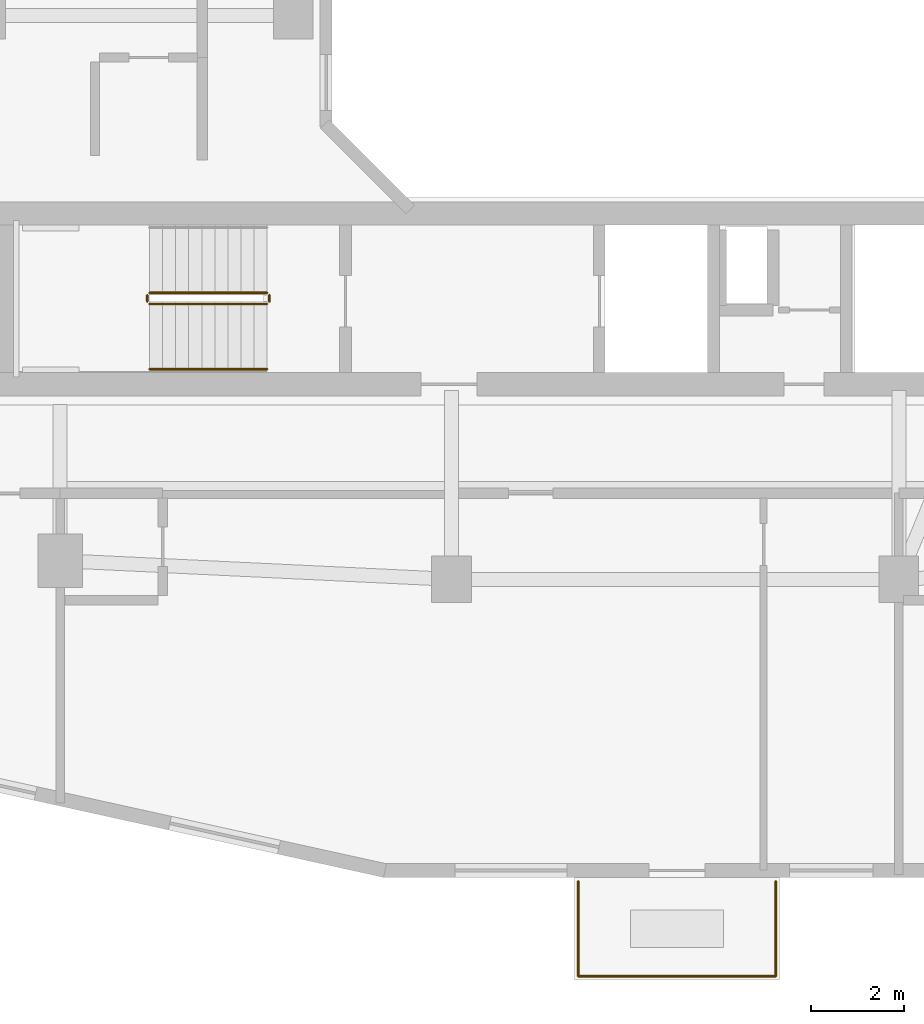
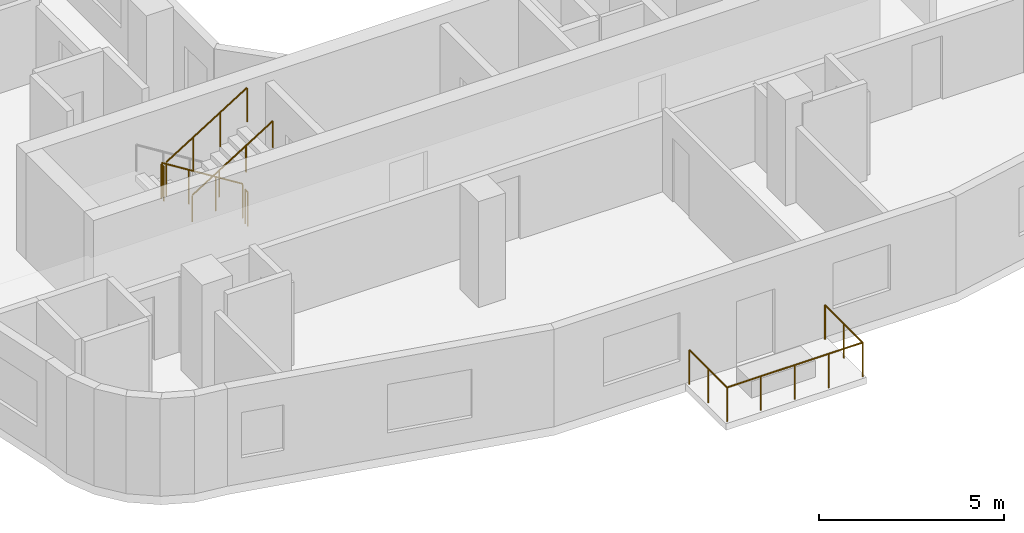
# One storey, part 19 of 24: 8 railings.
"""IFC4 building model written with IfcOpenShell, lengths in metres."""

from ifc_helpers import new_model, si_unit, derived_unit, direction, frame, origin, origin_2d, place, context, subcontext, project, spatial, circle, extrude, material, type_object, element, save


model = new_model("IFC4")

# Units and contexts
model_context = context("Model", 3, precision=1e-05, world=origin(), true_north=direction((0.0, 1.0)))
body_context = subcontext(model_context, "Body", "Model", "MODEL_VIEW")
ifc_project = project(units=[si_unit("LENGTHUNIT", "METRE"), si_unit("AREAUNIT", "SQUARE_METRE"), si_unit("VOLUMEUNIT", "CUBIC_METRE"), si_unit("PLANEANGLEUNIT", "RADIAN"), si_unit("MASSUNIT", "GRAM", prefix="KILO"), derived_unit("THERMALTRANSMITTANCEUNIT", [(si_unit("POWERUNIT", "WATT"), 1), (si_unit("LENGTHUNIT", "METRE"), -2), (si_unit("THERMODYNAMICTEMPERATUREUNIT", "KELVIN"), -1)])], contexts=[model_context])

# Site, building, storey
site_placement = place(None, origin())
site = spatial("IfcSite", under=ifc_project, at=site_placement, CompositionType="ELEMENT")
building_placement = place(site_placement, origin())
building = spatial("IfcBuilding", under=site, at=building_placement, Name="Kivonza Crest Hotel", CompositionType="ELEMENT")
storey_placement = place(building_placement, frame((0.0, 0.0, 80.0)))
storey = spatial("IfcBuildingStorey", under=building, at=storey_placement, Name="L21", CompositionType="ELEMENT", Elevation=80.0)

# Railings
ifc_material_1 = material(Name="Brushed stainless steel handrail", Category="steel")
railing_type_1 = type_object("IfcRailingType", Name="RL-HAND-900", PredefinedType="HANDRAIL", material=ifc_material_1)
railing_1_placement = place(storey_placement, frame((9.719970703125, 13.909912109375, 1.925048828125)))
element("IfcRailing", 1, at=railing_1_placement, inside=storey, type_object=railing_type_1, Name="L21 ST-T1-S stair handrail 2", PredefinedType="HANDRAIL", context=body_context, shape_type="SweptSolid", body=[
    extrude(circle(Radius=0.02392578125, at=origin_2d()), frame((0.0, 0.0, 0.8759765625), z_axis=(0.848007534815, 0.0, 0.529984170421), x_axis=(0.0, 1.0, 0.0)), (0.0, 0.0, 1.0), 2.9716796875),
    extrude(circle(Radius=0.02099609375, at=origin_2d()), origin(), (0.0, 0.0, 1.0), 0.851806640625),
    extrude(circle(Radius=0.02099609375, at=origin_2d()), frame((0.840087890625, 0.0, 0.52490234375)), (0.0, 0.0, 1.0), 0.851806640625),
    extrude(circle(Radius=0.02099609375, at=origin_2d()), frame((1.679931640625, 0.0, 1.050048828125)), (0.0, 0.0, 1.0), 0.851806640625),
    extrude(circle(Radius=0.02099609375, at=origin_2d()), frame((2.52001953125, 0.0, 1.574951171875)), (0.0, 0.0, 1.0), 0.851806640625),
])
ifc_material_2 = material(Name="Painted steel balustrade", Category="steel")
railing_type_2 = type_object("IfcRailingType", Name="RL-STAIR-1150", PredefinedType="BALUSTRADE", material=ifc_material_2)
railing_2_placement = place(storey_placement, frame((12.239990234375, 15.550048828125, 0.175048828125)))
element("IfcRailing", 2, at=railing_2_placement, inside=storey, type_object=railing_type_2, Name="L21 ST-T1-S stair guard 1", PredefinedType="BALUSTRADE", context=body_context, shape_type="SweptSolid", body=[
    extrude(circle(Radius=0.02392578125, at=origin_2d()), frame((0.0, 0.0, 1.1259765625), z_axis=(-0.848007534815, 0.0, 0.529984170421), x_axis=(0.0, -1.0, 0.0)), (0.0, 0.0, 1.0), 2.9716796875),
    extrude(circle(Radius=0.02099609375, at=origin_2d()), origin(), (0.0, 0.0, 1.0), 1.101806640625),
    extrude(circle(Radius=0.02099609375, at=origin_2d()), frame((-0.840087890625, 0.0, 0.52490234375)), (0.0, 0.0, 1.0), 1.101806640625),
    extrude(circle(Radius=0.02099609375, at=origin_2d()), frame((-1.679931640625, 0.0, 1.050048828125)), (0.0, 0.0, 1.0), 1.101806640625),
    extrude(circle(Radius=0.02099609375, at=origin_2d()), frame((-2.52001953125, 0.0, 1.574951171875)), (0.0, 0.0, 1.0), 1.101806640625),
])
railing_3_placement = place(storey_placement, frame((9.669921875, 15.5, 1.75)))
element("IfcRailing", 3, at=railing_3_placement, inside=storey, type_object=railing_type_2, Name="L21 ST-T1-S stair guard 2", PredefinedType="BALUSTRADE", context=body_context, shape_type="SweptSolid", body=[
    extrude(circle(Radius=0.02392578125, at=origin_2d()), frame((0.0, 0.0, 1.1259765625), z_axis=(0.0, -1.0, 0.0), x_axis=(1.0, 0.0, 0.0)), (0.0, 0.0, 1.0), 0.139892578125),
    extrude(circle(Radius=0.02099609375, at=origin_2d()), origin(), (0.0, 0.0, 1.0), 1.101806640625),
    extrude(circle(Radius=0.02099609375, at=origin_2d()), frame((0.0, -0.139892578125, 0.0)), (0.0, 0.0, 1.0), 1.101806640625),
])
railing_4_placement = place(storey_placement, frame((9.719970703125, 15.31005859375, 1.925048828125)))
element("IfcRailing", 4, at=railing_4_placement, inside=storey, type_object=railing_type_2, Name="L21 ST-T1-S stair guard 3", PredefinedType="BALUSTRADE", context=body_context, shape_type="SweptSolid", body=[
    extrude(circle(Radius=0.02392578125, at=origin_2d()), frame((0.0, 0.0, 1.1259765625), z_axis=(0.848007534815, 0.0, 0.529984170421), x_axis=(0.0, 1.0, 0.0)), (0.0, 0.0, 1.0), 2.9716796875),
    extrude(circle(Radius=0.02099609375, at=origin_2d()), origin(), (0.0, 0.0, 1.0), 1.101806640625),
    extrude(circle(Radius=0.02099609375, at=origin_2d()), frame((0.840087890625, 0.0, 0.52490234375)), (0.0, 0.0, 1.0), 1.101806640625),
    extrude(circle(Radius=0.02099609375, at=origin_2d()), frame((1.679931640625, 0.0, 1.050048828125)), (0.0, 0.0, 1.0), 1.101806640625),
    extrude(circle(Radius=0.02099609375, at=origin_2d()), frame((2.52001953125, 0.0, 1.574951171875)), (0.0, 0.0, 1.0), 1.101806640625),
])
railing_5_placement = place(storey_placement, frame((12.2900390625, 15.5, 0.0)))
element("IfcRailing", 5, at=railing_5_placement, inside=storey, type_object=railing_type_2, Name="L21 ST-T1-S stair guard 4", PredefinedType="BALUSTRADE", context=body_context, shape_type="SweptSolid", body=[
    extrude(circle(Radius=0.02392578125, at=origin_2d()), frame((0.0, 0.0, 1.1259765625), z_axis=(0.0, -1.0, 0.0), x_axis=(1.0, 0.0, 0.0)), (0.0, 0.0, 1.0), 0.139892578125),
    extrude(circle(Radius=0.02099609375, at=origin_2d()), origin(), (0.0, 0.0, 1.0), 1.101806640625),
    extrude(circle(Radius=0.02099609375, at=origin_2d()), frame((0.0, -0.139892578125, 0.0)), (0.0, 0.0, 1.0), 1.101806640625),
])
ifc_material_3 = material(Name="Laminated glass and stainless steel balustrade", Category="steel")
railing_type_3 = type_object("IfcRailingType", Name="RL-TERR-1150", PredefinedType="BALUSTRADE", material=ifc_material_3)
railing_6_placement = place(storey_placement, frame((18.919921875, 0.8798828125, 0.0)))
element("IfcRailing", 6, at=railing_6_placement, inside=storey, type_object=railing_type_3, Name="L21 T1-L21-SG-SW perimeter safety balustrade 1", PredefinedType="BALUSTRADE", context=body_context, shape_type="SweptSolid", body=[
    extrude(circle(Radius=0.02392578125, at=origin_2d()), frame((0.0, 0.0, 1.1259765625), z_axis=(0.0, 1.0, 0.0), x_axis=(-1.0, 0.0, 0.0)), (0.0, 0.0, 1.0), 2.0400390625),
    extrude(circle(Radius=0.02099609375, at=origin_2d()), origin(), (0.0, 0.0, 1.0), 1.101806640625),
    extrude(circle(Radius=0.02099609375, at=origin_2d()), frame((0.0, 1.02001953125, 0.0)), (0.0, 0.0, 1.0), 1.101806640625),
    extrude(circle(Radius=0.02099609375, at=origin_2d()), frame((0.0, 2.0400390625, 0.0)), (0.0, 0.0, 1.0), 1.101806640625),
])
railing_7_placement = place(storey_placement, frame((23.159912109375, 2.919921875, 0.0)))
element("IfcRailing", 7, at=railing_7_placement, inside=storey, type_object=railing_type_3, Name="L21 T1-L21-SG-SW perimeter safety balustrade 2", PredefinedType="BALUSTRADE", context=body_context, shape_type="SweptSolid", body=[
    extrude(circle(Radius=0.02392578125, at=origin_2d()), frame((0.0, 0.0, 1.1259765625), z_axis=(0.0, -1.0, 0.0), x_axis=(1.0, 0.0, 0.0)), (0.0, 0.0, 1.0), 2.0400390625),
    extrude(circle(Radius=0.02099609375, at=origin_2d()), origin(), (0.0, 0.0, 1.0), 1.101806640625),
    extrude(circle(Radius=0.02099609375, at=origin_2d()), frame((0.0, -1.02001953125, 0.0)), (0.0, 0.0, 1.0), 1.101806640625),
    extrude(circle(Radius=0.02099609375, at=origin_2d()), frame((0.0, -2.0400390625, 0.0)), (0.0, 0.0, 1.0), 1.101806640625),
])
railing_8_placement = place(storey_placement, frame((23.159912109375, 0.8798828125, 0.0)))
element("IfcRailing", 8, at=railing_8_placement, inside=storey, type_object=railing_type_3, Name="L21 T1-L21-SG-SW perimeter safety balustrade 3", PredefinedType="BALUSTRADE", context=body_context, shape_type="SweptSolid", body=[
    extrude(circle(Radius=0.02392578125, at=origin_2d()), frame((0.0, 0.0, 1.1259765625), z_axis=(-1.0, 0.0, 0.0), x_axis=(0.0, -1.0, 0.0)), (0.0, 0.0, 1.0), 4.239990234375),
    extrude(circle(Radius=0.02099609375, at=origin_2d()), origin(), (0.0, 0.0, 1.0), 1.101806640625),
    extrude(circle(Radius=0.02099609375, at=origin_2d()), frame((-1.06005859375, 0.0, 0.0)), (0.0, 0.0, 1.0), 1.101806640625),
    extrude(circle(Radius=0.02099609375, at=origin_2d()), frame((-2.1201171875, 0.0, 0.0)), (0.0, 0.0, 1.0), 1.101806640625),
    extrude(circle(Radius=0.02099609375, at=origin_2d()), frame((-3.179931640625, 0.0, 0.0)), (0.0, 0.0, 1.0), 1.101806640625),
    extrude(circle(Radius=0.02099609375, at=origin_2d()), frame((-4.239990234375, 0.0, 0.0)), (0.0, 0.0, 1.0), 1.101806640625),
])

save(model, "model.ifc")
